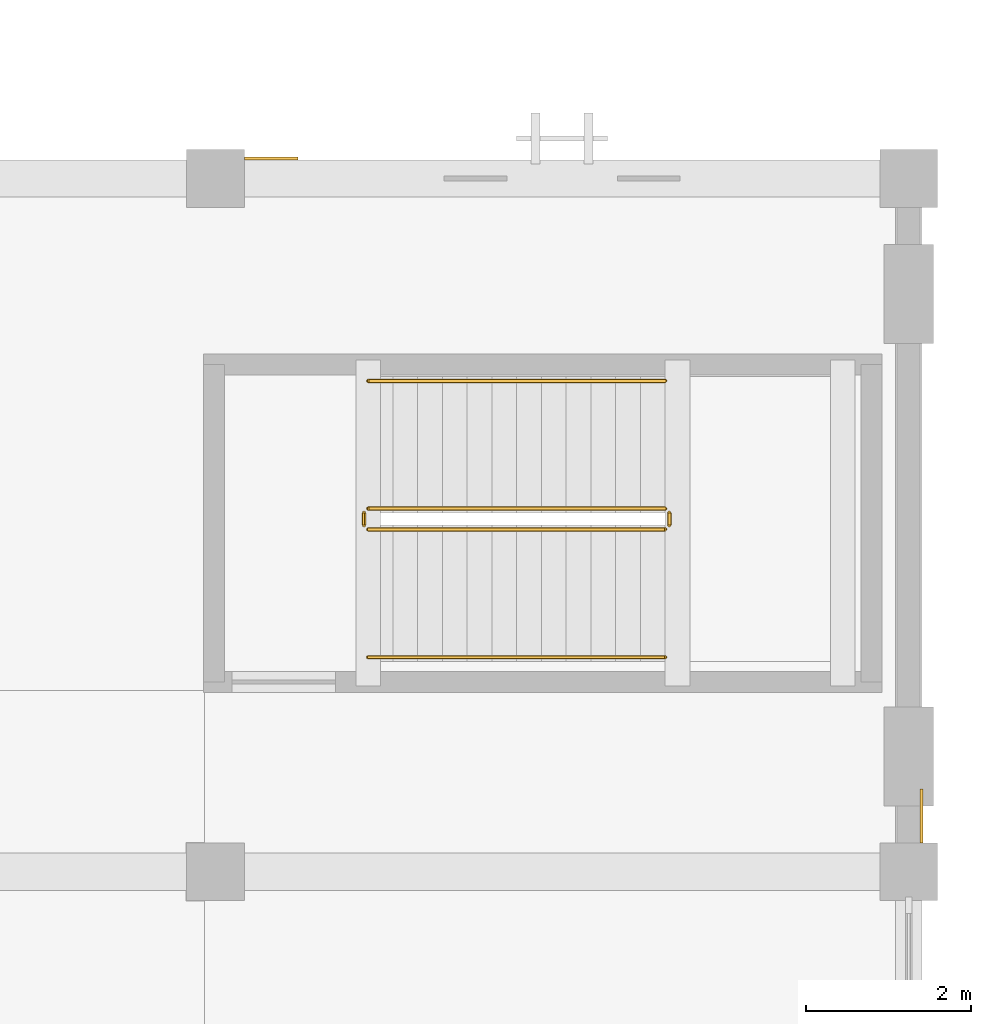
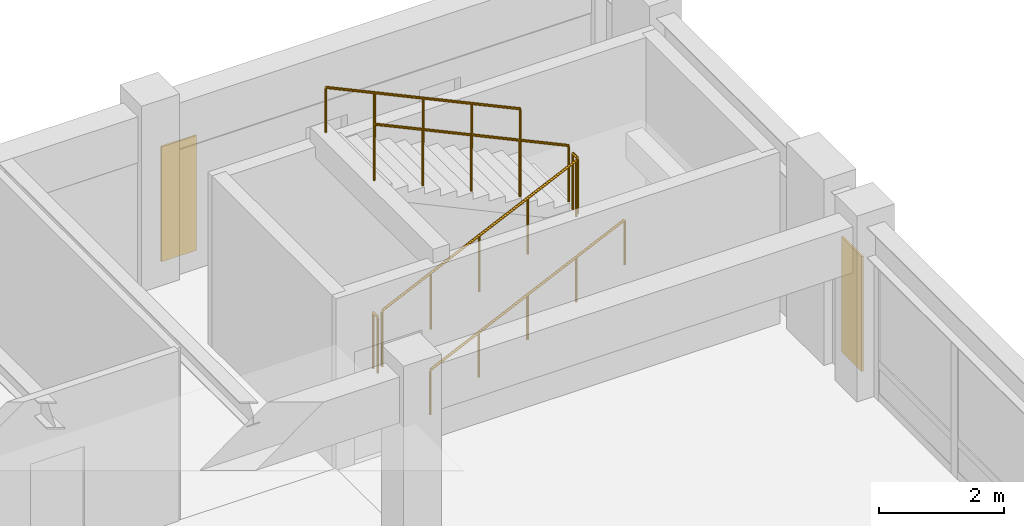
# One storey, part 114 of 118: 6 railings, 2 coverings.
"""IFC4 building model written with IfcOpenShell, lengths in metres."""

from ifc_helpers import new_model, si_unit, direction, frame, origin, origin_2d, place, context, subcontext, project, spatial, polyline, circle, outline, extrude, material, layer, layer_set, type_object, element, save


model = new_model("IFC4")

# Units and contexts
model_context = context("Model", 3, precision=1e-05, world=origin(), true_north=direction((0.0, 1.0)))
body_context = subcontext(model_context, "Body", "Model", "MODEL_VIEW")
ifc_project = project(units=[si_unit("LENGTHUNIT", "METRE"), si_unit("AREAUNIT", "SQUARE_METRE"), si_unit("VOLUMEUNIT", "CUBIC_METRE"), si_unit("PLANEANGLEUNIT", "RADIAN"), si_unit("MASSUNIT", "GRAM", prefix="KILO")], contexts=[model_context])

# Site, building, storey
site_placement = place(None, origin())
site = spatial("IfcSite", under=ifc_project, at=site_placement, CompositionType="ELEMENT")
building_placement = place(site_placement, origin())
building = spatial("IfcBuilding", under=site, at=building_placement, Name="Cumbredor Promenade Congress Hotel", CompositionType="ELEMENT")
storey_placement = place(building_placement, frame((0.0, 0.0, 3.919921875)))
storey = spatial("IfcBuildingStorey", under=building, at=storey_placement, Name="L01", CompositionType="ELEMENT", Elevation=3.919921875)

# Railings
ifc_material_1 = material(Name="Brushed stainless steel", Category="steel")
railing_type_1 = type_object("IfcRailingType", Name="Interior Void & Stair Guardrail GR-1100", PredefinedType="GUARDRAIL", material=ifc_material_1)
railing_1_placement = place(storey_placement, frame((178.25, 62.949951171875, 0.14013671875)))
element("IfcRailing", 1, at=railing_1_placement, inside=storey, type_object=railing_type_1, Name="L01 ST-10 stair guard 1", PredefinedType="GUARDRAIL", context=body_context, shape_type="SweptSolid", body=[
    extrude(circle(Radius=0.02392578125, at=origin_2d()), frame((0.0, 0.0, 1.09619140625), z_axis=(0.906194129559, 0.0, 0.422861915468), x_axis=(0.0, 1.0, 0.0)), (0.0, 0.0, 1.0), 3.97265625),
    extrude(circle(Radius=0.02099609375, at=origin_2d()), origin(), (0.0, 0.0, 1.0), 1.072021484375),
    extrude(circle(Radius=0.02099609375, at=origin_2d()), frame((0.89990234375, 0.0, 0.419921875)), (0.0, 0.0, 1.0), 1.072021484375),
    extrude(circle(Radius=0.02099609375, at=origin_2d()), frame((1.800048828125, 0.0, 0.83984375)), (0.0, 0.0, 1.0), 1.072021484375),
    extrude(circle(Radius=0.02099609375, at=origin_2d()), frame((2.7001953125, 0.0, 1.260009765625)), (0.0, 0.0, 1.0), 1.072021484375),
    extrude(circle(Radius=0.02099609375, at=origin_2d()), frame((3.60009765625, 0.0, 1.679931640625)), (0.0, 0.0, 1.0), 1.072021484375),
])
railing_2_placement = place(storey_placement, frame((181.89990234375, 63.0, 1.820068359375)))
element("IfcRailing", 2, at=railing_2_placement, inside=storey, type_object=railing_type_1, Name="L01 ST-10 stair guard 2", PredefinedType="GUARDRAIL", context=body_context, shape_type="SweptSolid", body=[
    extrude(circle(Radius=0.02392578125, at=origin_2d()), frame((0.0, 0.0, 1.09619140625), z_axis=(0.0, 1.0, 0.0), x_axis=(-1.0, 0.0, 0.0)), (0.0, 0.0, 1.0), 0.14990234375),
    extrude(circle(Radius=0.02099609375, at=origin_2d()), origin(), (0.0, 0.0, 1.0), 1.072021484375),
    extrude(circle(Radius=0.02099609375, at=origin_2d()), frame((0.0, 0.14990234375, 0.0)), (0.0, 0.0, 1.0), 1.072021484375),
])
railing_3_placement = place(storey_placement, frame((181.85009765625, 63.199951171875, 1.9599609375)))
element("IfcRailing", 3, at=railing_3_placement, inside=storey, type_object=railing_type_1, Name="L01 ST-10 stair guard 3", PredefinedType="GUARDRAIL", context=body_context, shape_type="SweptSolid", body=[
    extrude(circle(Radius=0.02392578125, at=origin_2d()), frame((0.0, 0.0, 1.09619140625), z_axis=(-0.906170580071, 0.0, 0.422912378411), x_axis=(0.0, -1.0, 0.0)), (0.0, 0.0, 1.0), 3.972900390625),
    extrude(circle(Radius=0.02099609375, at=origin_2d()), origin(), (0.0, 0.0, 1.0), 1.072021484375),
    extrude(circle(Radius=0.02099609375, at=origin_2d()), frame((-0.89990234375, 0.0, 0.419921875)), (0.0, 0.0, 1.0), 1.072021484375),
    extrude(circle(Radius=0.02099609375, at=origin_2d()), frame((-1.800048828125, 0.0, 0.840087890625)), (0.0, 0.0, 1.0), 1.072021484375),
    extrude(circle(Radius=0.02099609375, at=origin_2d()), frame((-2.7001953125, 0.0, 1.26025390625)), (0.0, 0.0, 1.0), 1.072021484375),
    extrude(circle(Radius=0.02099609375, at=origin_2d()), frame((-3.60009765625, 0.0, 1.68017578125)), (0.0, 0.0, 1.0), 1.072021484375),
])
railing_4_placement = place(storey_placement, frame((178.199951171875, 63.0, 0.0)))
element("IfcRailing", 4, at=railing_4_placement, inside=storey, type_object=railing_type_1, Name="L01 ST-10 stair guard 4", PredefinedType="GUARDRAIL", context=body_context, shape_type="SweptSolid", body=[
    extrude(circle(Radius=0.02392578125, at=origin_2d()), frame((0.0, 0.0, 1.09619140625), z_axis=(0.0, 1.0, 0.0), x_axis=(-1.0, 0.0, 0.0)), (0.0, 0.0, 1.0), 0.14990234375),
    extrude(circle(Radius=0.02099609375, at=origin_2d()), origin(), (0.0, 0.0, 1.0), 1.072021484375),
    extrude(circle(Radius=0.02099609375, at=origin_2d()), frame((0.0, 0.14990234375, 0.0)), (0.0, 0.0, 1.0), 1.072021484375),
])
railing_type_2 = type_object("IfcRailingType", Name="Stair Pitch Handrail HR-900", PredefinedType="HANDRAIL", material=ifc_material_1)
railing_5_placement = place(storey_placement, frame((178.25, 61.39990234375, 0.14013671875)))
element("IfcRailing", 5, at=railing_5_placement, inside=storey, type_object=railing_type_2, Name="L01 ST-10 stair handrail 1", PredefinedType="HANDRAIL", context=body_context, shape_type="SweptSolid", body=[
    extrude(circle(Radius=0.02392578125, at=origin_2d()), frame((0.0, 0.0, 0.8759765625), z_axis=(0.906194129559, 0.0, 0.422861915468), x_axis=(0.0, 1.0, 0.0)), (0.0, 0.0, 1.0), 3.97265625),
    extrude(circle(Radius=0.02099609375, at=origin_2d()), origin(), (0.0, 0.0, 1.0), 0.851806640625),
    extrude(circle(Radius=0.02099609375, at=origin_2d()), frame((0.89990234375, 0.0, 0.419921875)), (0.0, 0.0, 1.0), 0.851806640625),
    extrude(circle(Radius=0.02099609375, at=origin_2d()), frame((1.800048828125, 0.0, 0.83984375)), (0.0, 0.0, 1.0), 0.851806640625),
    extrude(circle(Radius=0.02099609375, at=origin_2d()), frame((2.7001953125, 0.0, 1.260009765625)), (0.0, 0.0, 1.0), 0.851806640625),
    extrude(circle(Radius=0.02099609375, at=origin_2d()), frame((3.60009765625, 0.0, 1.679931640625)), (0.0, 0.0, 1.0), 0.851806640625),
])
railing_6_placement = place(storey_placement, frame((181.85009765625, 64.75, 1.9599609375)))
element("IfcRailing", 6, at=railing_6_placement, inside=storey, type_object=railing_type_2, Name="L01 ST-10 stair handrail 2", PredefinedType="HANDRAIL", context=body_context, shape_type="SweptSolid", body=[
    extrude(circle(Radius=0.02392578125, at=origin_2d()), frame((0.0, 0.0, 0.8759765625), z_axis=(-0.906170580071, 0.0, 0.422912378411), x_axis=(0.0, -1.0, 0.0)), (0.0, 0.0, 1.0), 3.972900390625),
    extrude(circle(Radius=0.02099609375, at=origin_2d()), origin(), (0.0, 0.0, 1.0), 0.851806640625),
    extrude(circle(Radius=0.02099609375, at=origin_2d()), frame((-0.89990234375, 0.0, 0.419921875)), (0.0, 0.0, 1.0), 0.851806640625),
    extrude(circle(Radius=0.02099609375, at=origin_2d()), frame((-1.800048828125, 0.0, 0.840087890625)), (0.0, 0.0, 1.0), 0.851806640625),
    extrude(circle(Radius=0.02099609375, at=origin_2d()), frame((-2.7001953125, 0.0, 1.26025390625)), (0.0, 0.0, 1.0), 0.851806640625),
    extrude(circle(Radius=0.02099609375, at=origin_2d()), frame((-3.60009765625, 0.0, 1.68017578125)), (0.0, 0.0, 1.0), 0.851806640625),
])

# Coverings
ifc_material_2 = material(Name="Volcanic andesite ashlar cladding", Category="masonry")
ifc_layer = layer(ifc_material_2, 0.034912109375, Name="Volcanic andesite ashlar cladding", Category="masonry")
ifc_layer_set = layer_set([ifc_layer], Name="Volcanic andesite ashlar cladding")
covering_type = type_object("IfcCoveringType", Name="Volcanic Andesite Ashlar Rainscreen Cladding 35mm", PredefinedType="CLADDING", material=ifc_layer_set)
covering_1_placement = place(storey_placement, origin())
element("IfcCovering", 7, at=covering_1_placement, inside=storey, type_object=covering_type, Name="L01 Facade Stone Cladding Pier 057", PredefinedType="CLADDING", context=body_context, shape_type="SweptSolid", body=[
    extrude(outline(polyline([(176.7509765625, 67.425048828125), (177.40087890625, 67.425048828125), (177.40087890625, 67.4599609375), (176.7509765625, 67.4599609375), (176.7509765625, 67.425048828125)])), origin(), (0.0, 0.0, 1.0), 2.25),
])
covering_2_placement = place(storey_placement, origin())
element("IfcCovering", 8, at=covering_2_placement, inside=storey, type_object=covering_type, Name="L01 Facade Stone Cladding Pier 061", PredefinedType="CLADDING", context=body_context, shape_type="SweptSolid", body=[
    extrude(outline(polyline([(184.93994140625, 59.15087890625), (184.93994140625, 59.801025390625), (184.97509765625, 59.801025390625), (184.97509765625, 59.15087890625), (184.93994140625, 59.15087890625)])), origin(), (0.0, 0.0, 1.0), 2.25),
])

save(model, "model.ifc")
